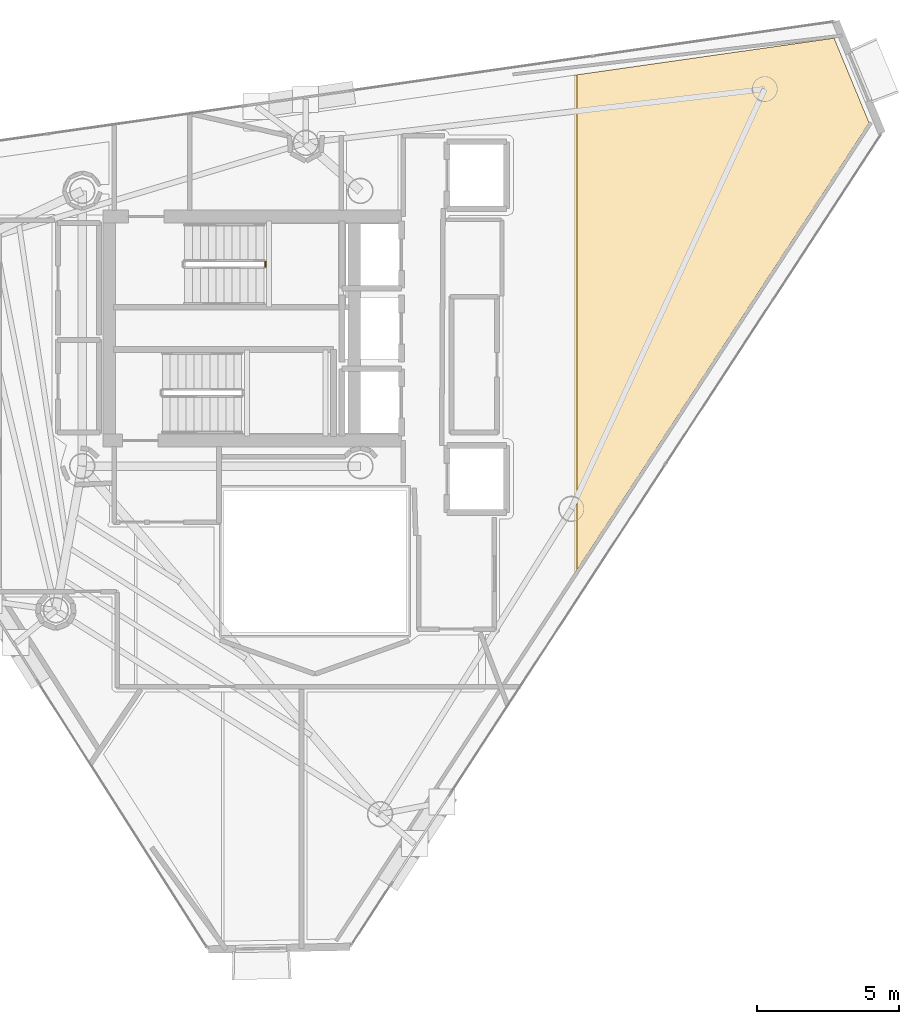
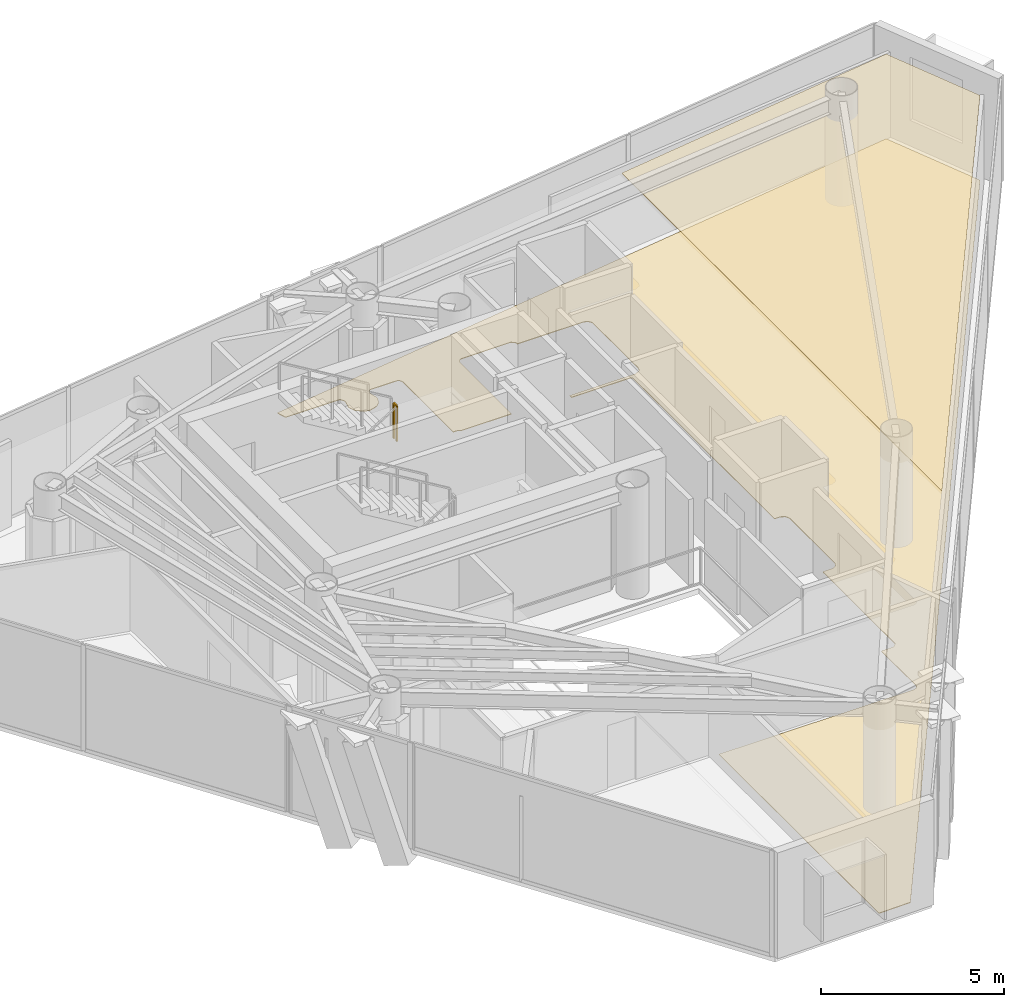
# One storey, part 25 of 25: 2 coverings, 1 railing.
"""IFC4 building model written with IfcOpenShell, lengths in metres."""

from ifc_helpers import new_model, si_unit, direction, frame, origin, origin_2d, place, context, subcontext, project, spatial, polyline, rectangle, outline, extrude, material, layer, layer_set, type_object, element, save


model = new_model("IFC4")

# Units and contexts
model_context = context("Model", 3, precision=1e-05, world=origin(), true_north=direction((0.0, 1.0)))
body_context = subcontext(model_context, "Body", "Model", "MODEL_VIEW")
ifc_project = project(units=[si_unit("LENGTHUNIT", "METRE"), si_unit("AREAUNIT", "SQUARE_METRE"), si_unit("VOLUMEUNIT", "CUBIC_METRE"), si_unit("PLANEANGLEUNIT", "RADIAN"), si_unit("MASSUNIT", "GRAM", prefix="KILO")], contexts=[model_context])

# Site, building, storey
site_placement = place(None, origin())
site = spatial("IfcSite", under=ifc_project, at=site_placement, CompositionType="ELEMENT")
building_placement = place(site_placement, origin())
building = spatial("IfcBuilding", under=site, at=building_placement, Name="Qianvela Tower", CompositionType="ELEMENT")
storey_placement = place(building_placement, frame((0.0, 0.0, 288.0)))
storey = spatial("IfcBuildingStorey", under=building, at=storey_placement, Name="L74", CompositionType="ELEMENT", Elevation=288.0)

# Coverings
ifc_material_1 = material(Name="Perforated Mineral Acoustic Ceiling Tile")
ifc_layer_1 = layer(ifc_material_1, 0.02490234375)
ifc_layer_set_1 = layer_set([ifc_layer_1], Name="Perforated Mineral Acoustic Ceiling Tile")
covering_type_1 = type_object("IfcCoveringType", Name="COV-CEIL-ACOUSTIC-25", PredefinedType="CEILING", material=ifc_layer_set_1)
covering_1_placement = place(storey_placement, frame((0.0, 0.0, 2.81494140625)))
element("IfcCovering", 1, at=covering_1_placement, inside=storey, type_object=covering_type_1, Name="L74 Acoustic Ceiling Bay 2 Campus Convenience Shop L74-03", PredefinedType="CEILING", context=body_context, shape_type="SweptSolid", body=[
    extrude(outline(polyline([(55.0888671875, 38.930908203125), (56.322509765625, 35.9462890625), (46.025390625, 20.19091796875), (46.025390625, 37.63671875), (55.0888671875, 38.930908203125)])), origin(), (0.0, 0.0, 1.0), 0.025146484375),
])
ifc_material_2 = material(Name="Engineered Acoustic Oak Timber Flooring", Category="wood")
ifc_layer_2 = layer(ifc_material_2, 0.02001953125)
ifc_layer_set_2 = layer_set([ifc_layer_2], Name="Engineered Acoustic Oak Timber Flooring")
covering_type_2 = type_object("IfcCoveringType", Name="COV-FLOOR-OAK-20", PredefinedType="FLOORING", material=ifc_layer_set_2)
covering_2_placement = place(storey_placement, origin())
element("IfcCovering", 2, at=covering_2_placement, inside=storey, type_object=covering_type_2, Name="L74 Finish Flooring Campus Convenience Shop L74-03", PredefinedType="FLOORING", context=body_context, shape_type="SweptSolid", body=[
    extrude(outline(polyline([(42.7373046875, 15.91943359375), (42.744384765625, 15.9228515625), (42.7509765625, 15.927001953125), (42.75732421875, 15.931640625), (42.76318359375, 15.93701171875), (42.768310546875, 15.942626953125), (42.773193359375, 15.948974609375), (42.777099609375, 15.955810546875), (42.780517578125, 15.962890625), (42.803955078125, 16.019287109375), (42.806640625, 16.02685546875), (42.80859375, 16.034423828125), (42.8095703125, 16.042236328125), (42.81005859375, 16.050048828125), (42.8076171875, 17.920166015625), (43.157958984375, 17.92041015625), (43.165771484375, 17.9208984375), (43.173583984375, 17.921875), (43.18115234375, 17.923828125), (43.1884765625, 17.926513671875), (43.195556640625, 17.9296875), (43.202392578125, 17.933837890625), (43.20849609375, 17.938720703125), (43.21435546875, 17.94384765625), (43.2861328125, 18.015625), (43.29150390625, 18.021484375), (43.296142578125, 18.027587890625), (43.30029296875, 18.034423828125), (43.303466796875, 18.04150390625), (43.30615234375, 18.048828125), (43.30810546875, 18.056640625), (43.30908203125, 18.064208984375), (43.3095703125, 18.072265625), (43.309326171875, 21.980712890625), (43.60791015625, 21.982666015625), (43.615478515625, 21.983154296875), (43.623291015625, 21.984375), (43.630859375, 21.986083984375), (43.637939453125, 21.98876953125), (43.64501953125, 21.9921875), (43.716796875, 22.030517578125), (43.723388671875, 22.034423828125), (43.729736328125, 22.039306640625), (43.735595703125, 22.04443359375), (43.74072265625, 22.05029296875), (43.74560546875, 22.056640625), (43.74951171875, 22.063232421875), (43.787841796875, 22.135009765625), (43.791259765625, 22.14208984375), (43.7939453125, 22.1494140625), (43.7958984375, 22.156982421875), (43.796875, 22.164794921875), (43.79736328125, 22.172607421875), (43.79931640625, 24.61376953125), (43.799072265625, 24.62060546875), (43.798095703125, 24.627685546875), (43.79638671875, 24.634765625), (43.79443359375, 24.641357421875), (43.79150390625, 24.64794921875), (43.751220703125, 24.733154296875), (43.74755859375, 24.739990234375), (43.743408203125, 24.74658203125), (43.73828125, 24.752685546875), (43.732666015625, 24.75830078125), (43.726806640625, 24.76318359375), (43.72021484375, 24.767578125), (43.713134765625, 24.771240234375), (43.6279296875, 24.8115234375), (43.619873046875, 24.81494140625), (43.611328125, 24.8173828125), (43.6025390625, 24.81884765625), (43.59375, 24.8193359375), (43.423828125, 24.8193359375), (43.423828125, 24.8193359375), (43.426513671875, 24.826904296875), (43.428466796875, 24.83447265625), (43.4296875, 24.84228515625), (43.429931640625, 24.85009765625), (43.429931640625, 32.5), (43.4296875, 32.5078125), (43.428466796875, 32.515625), (43.426513671875, 32.523193359375), (43.423828125, 32.530517578125), (43.420654296875, 32.53759765625), (43.41650390625, 32.54443359375), (43.411865234375, 32.55078125), (43.406494140625, 32.556640625), (43.40087890625, 32.561767578125), (43.394287109375, 32.56640625), (43.3876953125, 32.570556640625), (43.380615234375, 32.573974609375), (43.373291015625, 32.57666015625), (43.365478515625, 32.57861328125), (43.35791015625, 32.57958984375), (43.35009765625, 32.580078125), (41.52001953125, 32.580078125), (41.52001953125, 32.679931640625), (43.580078125, 32.679931640625), (43.587158203125, 32.680419921875), (43.593994140625, 32.68115234375), (43.60107421875, 32.682861328125), (43.607666015625, 32.684814453125), (43.6142578125, 32.687744140625), (43.722412109375, 32.739013671875), (43.729248046875, 32.74267578125), (43.73583984375, 32.746826171875), (43.741943359375, 32.751953125), (43.74755859375, 32.757568359375), (43.75244140625, 32.763427734375), (43.7568359375, 32.77001953125), (43.760498046875, 32.777099609375), (43.763427734375, 32.7841796875), (43.79541015625, 32.873046875), (43.79736328125, 32.879638671875), (43.798828125, 32.886474609375), (43.7998046875, 32.893310546875), (43.800048828125, 32.900390625), (43.789306640625, 35.35400390625), (43.788818359375, 35.36181640625), (43.787841796875, 35.369384765625), (43.785888671875, 35.376953125), (43.783203125, 35.38427734375), (43.77978515625, 35.391357421875), (43.77587890625, 35.398193359375), (43.771240234375, 35.404296875), (43.719482421875, 35.46728515625), (43.71435546875, 35.472900390625), (43.70849609375, 35.478271484375), (43.7021484375, 35.48291015625), (43.695556640625, 35.487060546875), (43.6884765625, 35.490234375), (43.680908203125, 35.492919921875), (43.603271484375, 35.5166015625), (43.595703125, 35.5185546875), (43.587890625, 35.51953125), (43.580078125, 35.52001953125), (41.515625, 35.52001953125), (41.513916015625, 35.554931640625), (41.512939453125, 35.562744140625), (41.511474609375, 35.5703125), (41.509033203125, 35.577880859375), (41.506103515625, 35.585205078125), (41.50244140625, 35.591796875), (41.498046875, 35.598388671875), (41.4931640625, 35.6044921875), (41.487548828125, 35.60986328125), (41.481689453125, 35.614990234375), (41.41552734375, 35.663818359375), (41.409423828125, 35.66796875), (41.40283203125, 35.67138671875), (41.396240234375, 35.67431640625), (41.38916015625, 35.6767578125), (41.382080078125, 35.67822265625), (41.374755859375, 35.67919921875), (41.367431640625, 35.6796875), (39.841796875, 35.670654296875), (39.83349609375, 35.670166015625), (39.825439453125, 35.668701171875), (39.817626953125, 35.666748046875), (39.81005859375, 35.663818359375), (39.802490234375, 35.659912109375), (39.795654296875, 35.655517578125), (39.789306640625, 35.650390625), (39.783447265625, 35.644775390625), (39.7783203125, 35.638427734375), (39.773681640625, 35.631591796875), (39.7314453125, 35.56103515625), (39.727294921875, 35.553466796875), (39.72412109375, 35.54541015625), (39.721923828125, 35.537109375), (39.720458984375, 35.528564453125), (39.719970703125, 35.52001953125), (39.719970703125, 32.719970703125), (38.129150390625, 32.719970703125), (38.068115234375, 32.756103515625), (38.060791015625, 32.760009765625), (38.052978515625, 32.76318359375), (38.044921875, 32.765380859375), (38.03662109375, 32.766845703125), (38.0283203125, 32.767333984375), (37.907470703125, 32.768798828125), (37.909912109375, 35.5), (37.90966796875, 35.507080078125), (37.90869140625, 35.513916015625), (37.9072265625, 35.52099609375), (37.905029296875, 35.527587890625), (37.90234375, 35.5341796875), (37.873046875, 35.595947265625), (37.869140625, 35.603271484375), (37.864501953125, 35.610107421875), (37.859375, 35.6162109375), (37.853515625, 35.6220703125), (37.84716796875, 35.626953125), (37.840087890625, 35.63134765625), (37.8330078125, 35.635009765625), (37.8251953125, 35.637939453125), (37.8173828125, 35.64013671875), (37.809326171875, 35.641357421875), (37.80126953125, 35.641845703125), (36.982421875, 35.64599609375), (36.974365234375, 35.645751953125), (36.96630859375, 35.64453125), (36.95849609375, 35.642578125), (36.950927734375, 35.639892578125), (36.94384765625, 35.636474609375), (36.93701171875, 35.63232421875), (36.930419921875, 35.62744140625), (36.9248046875, 35.6220703125), (36.919189453125, 35.615966796875), (36.914794921875, 35.609619140625), (36.91064453125, 35.6025390625), (36.875732421875, 35.5341796875), (36.87255859375, 35.527099609375), (36.8701171875, 35.51953125), (36.8681640625, 35.511962890625), (36.8671875, 35.504150390625), (36.866943359375, 35.49609375), (36.86767578125, 35.48828125), (36.868896484375, 35.48046875), (36.92431640625, 35.23291015625), (36.91748046875, 35.163330078125), (36.84765625, 34.99462890625), (36.72705078125, 34.874267578125), (36.4755859375, 34.796142578125), (36.305419921875, 34.830078125), (36.10302734375, 34.998291015625), (36.03466796875, 35.163330078125), (36.02783203125, 35.23291015625), (36.0830078125, 35.48046875), (36.08447265625, 35.48779296875), (36.0849609375, 35.4951171875), (36.0849609375, 35.502685546875), (36.083984375, 35.510009765625), (36.08251953125, 35.517333984375), (36.08056640625, 35.5244140625), (36.07763671875, 35.53125), (36.07421875, 35.537841796875), (36.03271484375, 35.610107421875), (36.028564453125, 35.61669921875), (36.02392578125, 35.62255859375), (36.0185546875, 35.6279296875), (36.012939453125, 35.633056640625), (36.0068359375, 35.637451171875), (36.000244140625, 35.64111328125), (35.993408203125, 35.644287109375), (35.986083984375, 35.64697265625), (35.978759765625, 35.648681640625), (35.97119140625, 35.64990234375), (35.9638671875, 35.650146484375), (34.30078125, 35.65966796875), (34.208740234375, 35.94921875), (55.0888671875, 38.930908203125), (56.322509765625, 35.9462890625), (37.52587890625, 7.18603515625), (36.52294921875, 7.166748046875), (36.52294921875, 15.889892578125), (42.64990234375, 15.889892578125), (42.65771484375, 15.890380859375), (42.66552734375, 15.8916015625), (42.673095703125, 15.893310546875), (42.6806640625, 15.89599609375), (42.7373046875, 15.91943359375)])), origin(), (0.0, 0.0, 1.0), 0.02001953125),
])

# Railing
ifc_material_3 = material(Name="Painted Tubular Steel Q355B", Category="steel")
railing_type = type_object("IfcRailingType", Name="RL-STAIR-GUARD-1200", PredefinedType="GUARDRAIL", material=ifc_material_3)
railing_placement = place(storey_placement, frame((35.050048828125, 30.889892578125, 1.85009765625)))
element("IfcRailing", 3, at=railing_placement, inside=storey, type_object=railing_type, Name="L74 ST-1 stair guard 2", PredefinedType="GUARDRAIL", context=body_context, shape_type="SweptSolid", body=[
    extrude(rectangle(XDim=0.050048828125, YDim=0.0400390625, at=origin_2d()), frame((0.0, 0.0, 1.179931640625), z_axis=(0.0, 1.0, 0.0), x_axis=(-1.0, 0.0, 0.0)), (0.0, 0.0, 1.0), 0.16015625),
    extrude(rectangle(XDim=0.050048828125, YDim=0.050048828125, at=origin_2d()), origin(), (0.0, 0.0, 1.0), 1.159912109375),
    extrude(rectangle(XDim=0.050048828125, YDim=0.050048828125, at=origin_2d()), frame((0.0, 0.16015625, 0.0)), (0.0, 0.0, 1.0), 1.159912109375),
])

save(model, "model.ifc")
